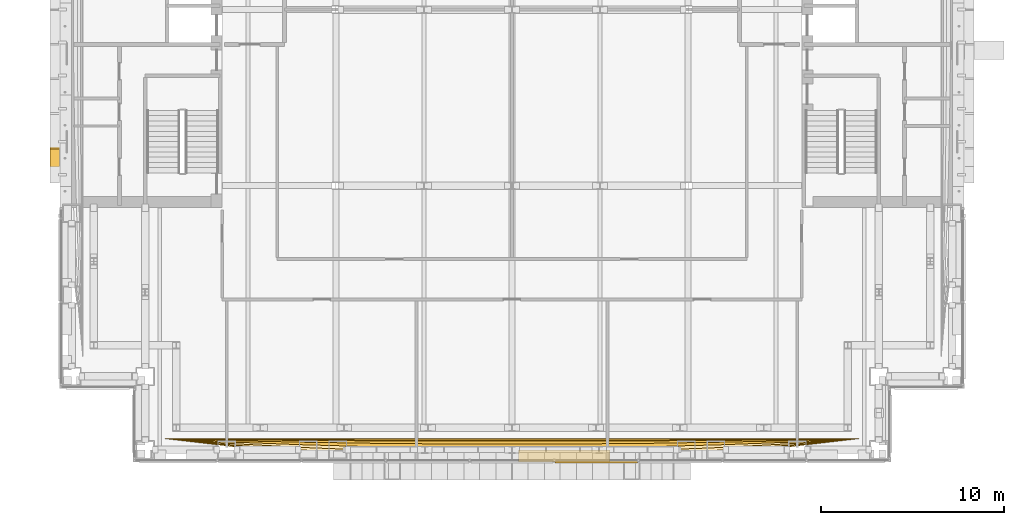
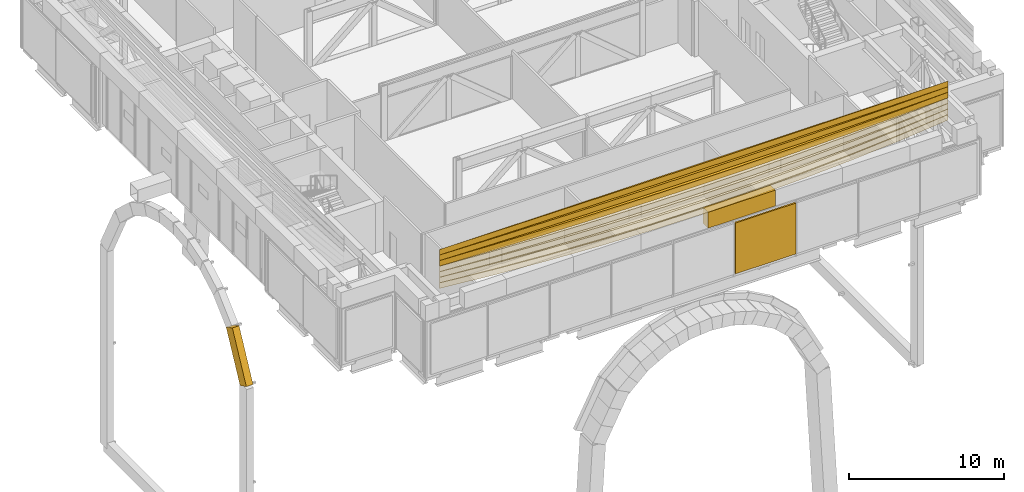
# One storey, part 23 of 39: 10 coverings.
"""IFC4 building model written with IfcOpenShell, lengths in metres."""

from ifc_helpers import new_model, si_unit, direction, frame, origin, origin_2d, place, context, subcontext, project, spatial, polyline, rectangle, outline, extrude, material, material_profile, profile_set, type_object, element, save


model = new_model("IFC4")

# Units and contexts
model_context = context("Model", 3, precision=1e-05, world=origin(), true_north=direction((0.0, 1.0)))
body_context = subcontext(model_context, "Body", "Model", "MODEL_VIEW")
ifc_project = project(units=[si_unit("LENGTHUNIT", "METRE"), si_unit("AREAUNIT", "SQUARE_METRE"), si_unit("VOLUMEUNIT", "CUBIC_METRE"), si_unit("PLANEANGLEUNIT", "RADIAN"), si_unit("MASSUNIT", "GRAM", prefix="KILO")], contexts=[model_context])

# Site, building, storey
site_placement = place(None, origin())
site = spatial("IfcSite", under=ifc_project, at=site_placement, CompositionType="ELEMENT")
building_placement = place(site_placement, origin())
building = spatial("IfcBuilding", under=site, at=building_placement, Name="Cobrizo Arcos Hotel Tower", CompositionType="ELEMENT")
storey_placement = place(building_placement, frame((0.0, 0.0, 84.5)))
storey = spatial("IfcBuildingStorey", under=building, at=storey_placement, Name="L20", CompositionType="ELEMENT", Elevation=84.5)

# Coverings
ifc_material_1 = material(Name="Aluminium 6063-T6 anodised pale", Category="aluminium")
ifc_material_profile = material_profile(ifc_material_1, rectangle(XDim=0.5, YDim=0.89990234375, at=origin_2d()), Name="AF-2 core arch rim 500x900")
ifc_profile_set = profile_set([ifc_material_profile], Name="Aluminium 6063-T6 anodised pale")
covering_type_1 = type_object("IfcCoveringType", Name="AF-2 core arch rim 500x900", PredefinedType="CLADDING", material=ifc_profile_set)
covering_1_placement = place(storey_placement, frame((-24.925048828125, -9.0, -8.460205078125), z_axis=(0.0, 0.455923660176, 0.890018885245), x_axis=(-1.0, 0.0, 0.0)))
element("IfcCovering", 1, at=covering_1_placement, inside=storey, type_object=covering_type_1, Name="Arch rim A W face", PredefinedType="CLADDING", context=body_context, shape_type="SweptSolid", body=[
    extrude(rectangle(XDim=0.5, YDim=0.89990234375, at=origin_2d()), origin(), (0.0, 0.0, 1.0), 3.9482421875),
])
covering_type_2 = type_object("IfcCoveringType", Name="LF-1 setback skirt", PredefinedType="CLADDING", material=ifc_material_1)
covering_2_placement = place(storey_placement, frame((0.0, 0.0, 4.5)))
element("IfcCovering", 2, at=covering_2_placement, inside=storey, type_object=covering_type_2, Name="Setback skirt L20", PredefinedType="CLADDING", context=body_context, shape_type="SweptSolid", body=[
    extrude(outline(polyline([(5.35009765625, -24.010009765625), (0.35009765625, -24.010009765625), (0.35009765625, -24.64990234375), (5.35009765625, -24.64990234375), (5.35009765625, -24.010009765625)])), origin(), (0.0, 0.0, 1.0), 1.25),
])
covering_type_3 = type_object("IfcCoveringType", Name="LF-2 setback roll course", PredefinedType="CLADDING", material=ifc_material_1)
covering_3_placement = place(storey_placement, frame((0.0, 0.0, 5.75)))
element("IfcCovering", 3, at=covering_3_placement, inside=storey, type_object=covering_type_3, Name="Setback roll L20 S", PredefinedType="CLADDING", context=body_context, shape_type="SweptSolid", body=[
    extrude(outline(polyline([(-18.89990234375, -23.39990234375), (-15.1201171875, -23.844970703125), (-11.340087890625, -24.19091796875), (-7.56005859375, -24.438232421875), (-3.780029296875, -24.58642578125), (0.0, -24.635986328125), (3.780029296875, -24.58642578125), (7.56005859375, -24.438232421875), (11.340087890625, -24.19091796875), (15.1201171875, -23.844970703125), (18.89990234375, -23.39990234375), (18.89990234375, -23.39990234375), (-18.89990234375, -23.39990234375)])), origin(), (0.0, 0.0, 1.0), 0.4375),
])
covering_4_placement = place(storey_placement, frame((0.0, 0.0, 6.1875)))
element("IfcCovering", 4, at=covering_4_placement, inside=storey, type_object=covering_type_3, Name="Setback roll L20 S", PredefinedType="CLADDING", context=body_context, shape_type="SweptSolid", body=[
    extrude(outline(polyline([(-18.89990234375, -23.39990234375), (-15.1201171875, -23.80859375), (-11.340087890625, -24.126220703125), (-7.56005859375, -24.35302734375), (-3.780029296875, -24.4892578125), (0.0, -24.53466796875), (3.780029296875, -24.4892578125), (7.56005859375, -24.35302734375), (11.340087890625, -24.126220703125), (15.1201171875, -23.80859375), (18.89990234375, -23.39990234375), (18.89990234375, -23.39990234375), (-18.89990234375, -23.39990234375)])), origin(), (0.0, 0.0, 1.0), 0.4375),
])
covering_5_placement = place(storey_placement, frame((0.0, 0.0, 6.625)))
element("IfcCovering", 5, at=covering_5_placement, inside=storey, type_object=covering_type_3, Name="Setback roll L20 S", PredefinedType="CLADDING", context=body_context, shape_type="SweptSolid", body=[
    extrude(outline(polyline([(-18.89990234375, -23.39990234375), (-15.1201171875, -23.74560546875), (-11.340087890625, -24.014404296875), (-7.56005859375, -24.20654296875), (-3.780029296875, -24.32177734375), (0.0, -24.360107421875), (3.780029296875, -24.32177734375), (7.56005859375, -24.20654296875), (11.340087890625, -24.014404296875), (15.1201171875, -23.74560546875), (18.89990234375, -23.39990234375), (18.89990234375, -23.39990234375), (-18.89990234375, -23.39990234375)])), origin(), (0.0, 0.0, 1.0), 0.4375),
])
covering_6_placement = place(storey_placement, frame((0.0, 0.0, 7.0625)))
element("IfcCovering", 6, at=covering_6_placement, inside=storey, type_object=covering_type_3, Name="Setback roll L20 S", PredefinedType="CLADDING", context=body_context, shape_type="SweptSolid", body=[
    extrude(outline(polyline([(-18.89990234375, -23.39990234375), (-15.1201171875, -23.6669921875), (-11.340087890625, -23.87451171875), (-7.56005859375, -24.02294921875), (-3.780029296875, -24.11181640625), (0.0, -24.1416015625), (3.780029296875, -24.11181640625), (7.56005859375, -24.02294921875), (11.340087890625, -23.87451171875), (15.1201171875, -23.6669921875), (18.89990234375, -23.39990234375), (18.89990234375, -23.39990234375), (-18.89990234375, -23.39990234375)])), origin(), (0.0, 0.0, 1.0), 0.4375),
])
covering_7_placement = place(storey_placement, frame((0.0, 0.0, 7.5)))
element("IfcCovering", 7, at=covering_7_placement, inside=storey, type_object=covering_type_3, Name="Setback roll L20 S", PredefinedType="CLADDING", context=body_context, shape_type="SweptSolid", body=[
    extrude(outline(polyline([(-18.89990234375, -23.39990234375), (-15.1201171875, -23.5830078125), (-11.340087890625, -23.725341796875), (-7.56005859375, -23.8271484375), (-3.780029296875, -23.88818359375), (0.0, -23.908447265625), (3.780029296875, -23.88818359375), (7.56005859375, -23.8271484375), (11.340087890625, -23.725341796875), (15.1201171875, -23.5830078125), (18.89990234375, -23.39990234375), (18.89990234375, -23.39990234375), (-18.89990234375, -23.39990234375)])), origin(), (0.0, 0.0, 1.0), 0.4375),
])
covering_8_placement = place(storey_placement, frame((0.0, 0.0, 7.9375)))
element("IfcCovering", 8, at=covering_8_placement, inside=storey, type_object=covering_type_3, Name="Setback roll L20 S", PredefinedType="CLADDING", context=body_context, shape_type="SweptSolid", body=[
    extrude(outline(polyline([(-18.89990234375, -23.39990234375), (-15.1201171875, -23.50439453125), (-11.340087890625, -23.58544921875), (-7.56005859375, -23.6435546875), (-3.780029296875, -23.67822265625), (0.0, -23.68994140625), (3.780029296875, -23.67822265625), (7.56005859375, -23.6435546875), (11.340087890625, -23.58544921875), (15.1201171875, -23.50439453125), (18.89990234375, -23.39990234375), (18.89990234375, -23.39990234375), (-18.89990234375, -23.39990234375)])), origin(), (0.0, 0.0, 1.0), 0.4375),
])
covering_9_placement = place(storey_placement, frame((0.0, 0.0, 8.375)))
element("IfcCovering", 9, at=covering_9_placement, inside=storey, type_object=covering_type_3, Name="Setback roll L20 S", PredefinedType="CLADDING", context=body_context, shape_type="SweptSolid", body=[
    extrude(outline(polyline([(-18.89990234375, -23.39990234375), (-15.1201171875, -23.44140625), (-11.340087890625, -23.473876953125), (-7.56005859375, -23.496826171875), (-3.780029296875, -23.5107421875), (0.0, -23.515380859375), (3.780029296875, -23.5107421875), (7.56005859375, -23.496826171875), (11.340087890625, -23.473876953125), (15.1201171875, -23.44140625), (18.89990234375, -23.39990234375), (18.89990234375, -23.39990234375), (-18.89990234375, -23.39990234375)])), origin(), (0.0, 0.0, 1.0), 0.4375),
])
ifc_material_2 = material(Name="Aluminium 6063-T6 anodised bronze", Category="aluminium")
covering_type_4 = type_object("IfcCoveringType", Name="LV-1 plant louvre band", PredefinedType="CLADDING", material=ifc_material_2)
covering_10_placement = place(storey_placement, frame((4.5888671875, -24.655029296875, 0.25), z_axis=(0.0, 0.0, 1.0), x_axis=(1.0, 0.0, 0.0)))
element("IfcCovering", 10, at=covering_10_placement, inside=storey, type_object=covering_type_4, Name="louvre band 818", PredefinedType="CLADDING", context=body_context, shape_type="SweptSolid", body=[
    extrude(rectangle(XDim=4.48876953125, YDim=0.1201171875, at=origin_2d()), origin(), (0.0, 0.0, 1.0), 4.0),
])

save(model, "model.ifc")
